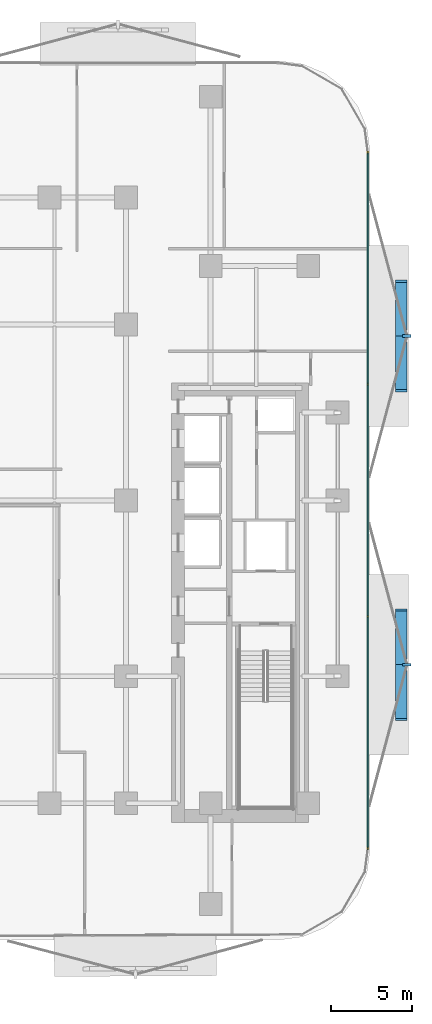
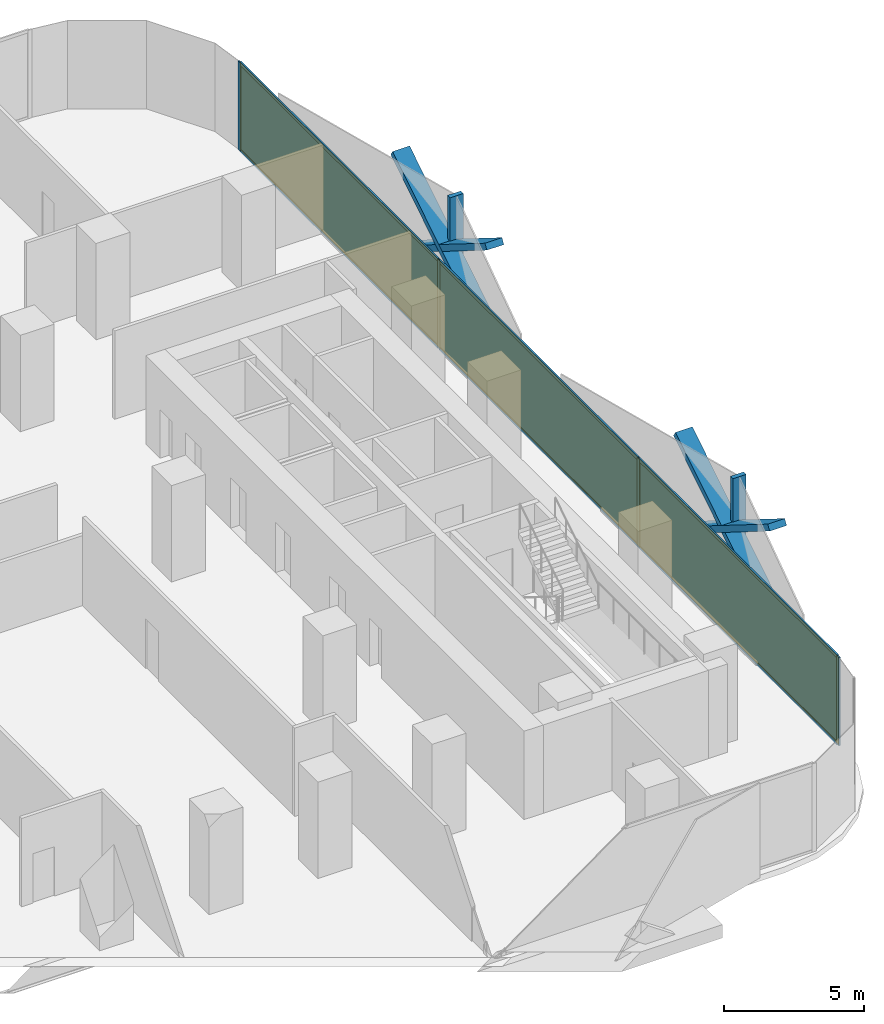
# One storey, part 10 of 16: 16 members, 3 plates, 1 curtain wall.
"""IFC4 building model written with IfcOpenShell, lengths in metres."""

from ifc_helpers import new_model, si_unit, direction, frame, frame_2d, origin, origin_2d, place, context, subcontext, project, spatial, rectangle, extrude, material, layer, layer_set, material_profile, profile_set, type_object, element, aggregate, save


model = new_model("IFC4")

# Units and contexts
model_context = context("Model", 3, precision=1e-05, world=origin(), true_north=direction((0.0, 1.0)))
body_context = subcontext(model_context, "Body", "Model", "MODEL_VIEW")
ifc_project = project(units=[si_unit("LENGTHUNIT", "METRE"), si_unit("AREAUNIT", "SQUARE_METRE"), si_unit("VOLUMEUNIT", "CUBIC_METRE"), si_unit("PLANEANGLEUNIT", "RADIAN"), si_unit("MASSUNIT", "GRAM", prefix="KILO")], contexts=[model_context])

# Member
ifc_material_1 = material(Name="Anodised Bronze Aluminium 6063-T6", Category="aluminium")
ifc_material_profile_1 = material_profile(ifc_material_1, rectangle(XDim=0.260009765625, YDim=0.699951171875, at=origin_2d()))
ifc_profile_set_1 = profile_set([ifc_material_profile_1], Name="Anodised Bronze Aluminium 6063-T6")
member_type_1 = type_object("IfcMemberType", Name="Bronze Diamond Solar-Screen Lattice Rib BDL-700", PredefinedType="MULLION", material=ifc_profile_set_1)
site_placement = place(None, origin())
building_placement = place(site_placement, origin())
storey_placement = place(building_placement, frame((0.0, 0.0, 80.60009765625)))
member_1_placement = place(storey_placement, frame((26.10009765625, 13.46044921875, -0.130126953125), z_axis=(0.0, -0.848362902952, 0.529415134744), x_axis=(0.0, -0.529415134744, -0.848362902952)))
member_1 = element("IfcMember", 1, at=member_1_placement, type_object=member_type_1, Name="L19 Bronze Diamond Solar Screen Lattice Rib 111A", PredefinedType="MULLION", context=body_context, shape_type="SweptSolid", body=[
    extrude(rectangle(XDim=0.260009765625, YDim=0.699951171875, at=origin_2d()), origin(), (0.0, 0.0, 1.0), 7.93310546875),
])

member_2_placement = place(storey_placement, frame((26.10009765625, 6.730224609375, -0.130126953125), z_axis=(0.0, 0.848362902952, 0.529415134744), x_axis=(0.0, 0.529415134744, -0.848362902952)))
member_2 = element("IfcMember", 2, at=member_2_placement, type_object=member_type_1, Name="L19 Bronze Diamond Solar Screen Lattice Rib 111B", PredefinedType="MULLION", context=body_context, shape_type="SweptSolid", body=[
    extrude(rectangle(XDim=0.260009765625, YDim=0.699951171875, at=origin_2d()), origin(), (0.0, 0.0, 1.0), 7.93310546875),
])

member_3_placement = place(storey_placement, frame((26.10009765625, -6.730224609375, -0.130126953125), z_axis=(0.0, -0.848362902952, 0.529415134744), x_axis=(0.0, -0.529415134744, -0.848362902952)))
member_3 = element("IfcMember", 3, at=member_3_placement, type_object=member_type_1, Name="L19 Bronze Diamond Solar Screen Lattice Rib 112A", PredefinedType="MULLION", context=body_context, shape_type="SweptSolid", body=[
    extrude(rectangle(XDim=0.260009765625, YDim=0.699951171875, at=origin_2d()), origin(), (0.0, 0.0, 1.0), 7.93310546875),
])

member_4_placement = place(storey_placement, frame((26.10009765625, -13.46044921875, -0.130126953125), z_axis=(0.0, 0.848362902952, 0.529415134744), x_axis=(0.0, 0.529415134744, -0.848362902952)))
member_4 = element("IfcMember", 4, at=member_4_placement, type_object=member_type_1, Name="L19 Bronze Diamond Solar Screen Lattice Rib 112B", PredefinedType="MULLION", context=body_context, shape_type="SweptSolid", body=[
    extrude(rectangle(XDim=0.260009765625, YDim=0.699951171875, at=origin_2d()), origin(), (0.0, 0.0, 1.0), 7.93310546875),
])

ifc_material_2 = material(Name="Anodised Bronze Aluminium 6063-T6", Category="aluminium")
ifc_material_profile_2 = material_profile(ifc_material_2, rectangle(XDim=0.179931640625, YDim=0.5400390625, at=origin_2d()))
ifc_profile_set_2 = profile_set([ifc_material_profile_2], Name="Anodised Bronze Aluminium 6063-T6")
member_type_2 = type_object("IfcMemberType", Name="Bronze Solar-Screen Vertical Fold Fin BSF-540", PredefinedType="MULLION", material=ifc_profile_set_2)
member_5_placement = place(storey_placement, frame((26.43994140625, 10.095458984375, -0.130126953125), z_axis=(0.0, 0.0, 1.0), x_axis=(0.0, -1.0, 0.0)))
member_5 = element("IfcMember", 5, at=member_5_placement, type_object=member_type_2, Name="L19 Bronze Solar Screen Vertical Fin 111", PredefinedType="MULLION", context=body_context, shape_type="SweptSolid", body=[
    extrude(rectangle(XDim=0.179931640625, YDim=0.5400390625, at=origin_2d()), origin(), (0.0, 0.0, 1.0), 4.199951171875),
])

member_6_placement = place(storey_placement, frame((26.43994140625, -10.095458984375, -0.130126953125), z_axis=(0.0, 0.0, 1.0), x_axis=(0.0, -1.0, 0.0)))
member_6 = element("IfcMember", 6, at=member_6_placement, type_object=member_type_2, Name="L19 Bronze Solar Screen Vertical Fin 112", PredefinedType="MULLION", context=body_context, shape_type="SweptSolid", body=[
    extrude(rectangle(XDim=0.179931640625, YDim=0.5400390625, at=origin_2d()), origin(), (0.0, 0.0, 1.0), 4.199951171875),
])

ifc_material_3 = material(Name="Anodised Bronze Aluminium 6063-T6", Category="aluminium")
ifc_material_profile_3 = material_profile(ifc_material_3, rectangle(XDim=0.06494140625, YDim=0.179931640625, at=origin_2d()))
ifc_profile_set_3 = profile_set([ifc_material_profile_3], Name="Anodised Bronze Aluminium 6063-T6")
member_type_3 = type_object("IfcMemberType", Name="CW-Z1 Mullion 65x180", PredefinedType="MULLION", material=ifc_profile_set_3)
member_7_placement = place(storey_placement, frame((24.06005859375, 21.3583984375, 0.0), z_axis=(0.0, 0.0, 1.0), x_axis=(1.0, 0.0, 0.0)))
member_7 = element("IfcMember", 7, at=member_7_placement, type_object=member_type_3, Name="CW-Z1 mullion 1", PredefinedType="MULLION", context=body_context, shape_type="SweptSolid", body=[
    extrude(rectangle(XDim=0.06494140625, YDim=0.179931640625, at=origin_2d()), origin(), (0.0, 0.0, 1.0), 3.849853515625),
])

member_8_placement = place(storey_placement, frame((24.06005859375, 7.13037109375, 0.0), z_axis=(0.0, 0.0, 1.0), x_axis=(1.0, 0.0, 0.0)))
member_8 = element("IfcMember", 8, at=member_8_placement, type_object=member_type_3, Name="CW-Z1 mullion 2", PredefinedType="MULLION", context=body_context, shape_type="SweptSolid", body=[
    extrude(rectangle(XDim=0.06494140625, YDim=0.179931640625, at=origin_2d()), origin(), (0.0, 0.0, 1.0), 3.849853515625),
])

member_9_placement = place(storey_placement, frame((24.06005859375, -7.13037109375, 0.0), z_axis=(0.0, 0.0, 1.0), x_axis=(1.0, 0.0, 0.0)))
member_9 = element("IfcMember", 9, at=member_9_placement, type_object=member_type_3, Name="CW-Z1 mullion 3", PredefinedType="MULLION", context=body_context, shape_type="SweptSolid", body=[
    extrude(rectangle(XDim=0.06494140625, YDim=0.179931640625, at=origin_2d()), origin(), (0.0, 0.0, 1.0), 3.849853515625),
])

member_10_placement = place(storey_placement, frame((24.06005859375, -21.3583984375, 0.0), z_axis=(0.0, 0.0, 1.0), x_axis=(1.0, 0.0, 0.0)))
member_10 = element("IfcMember", 10, at=member_10_placement, type_object=member_type_3, Name="CW-Z1 mullion 4", PredefinedType="MULLION", context=body_context, shape_type="SweptSolid", body=[
    extrude(rectangle(XDim=0.06494140625, YDim=0.179931640625, at=origin_2d()), origin(), (0.0, 0.0, 1.0), 3.849853515625),
])

ifc_material_4 = material(Name="Anodised Bronze Aluminium 6063-T6", Category="aluminium")
ifc_material_profile_4 = material_profile(ifc_material_4, rectangle(XDim=0.06494140625, YDim=0.139892578125, at=origin_2d()))
ifc_profile_set_4 = profile_set([ifc_material_profile_4], Name="Anodised Bronze Aluminium 6063-T6")
member_type_4 = type_object("IfcMemberType", Name="CW-Z1 Transom 65x140", PredefinedType="USERDEFINED", material=ifc_profile_set_4)
member_11_placement = place(storey_placement, frame((24.06005859375, 21.32568359375, 0.032470703125), z_axis=(0.0, -1.0, 0.0), x_axis=(1.0, 0.0, 0.0)))
member_11 = element("IfcMember", 11, at=member_11_placement, type_object=member_type_4, Name="CW-Z1 transom 1.1", ObjectType="TRANSOM", PredefinedType="USERDEFINED", context=body_context, shape_type="SweptSolid", body=[
    extrude(rectangle(XDim=0.06494140625, YDim=0.139892578125, at=origin_2d()), origin(), (0.0, 0.0, 1.0), 14.162841796875),
])

member_12_placement = place(storey_placement, frame((24.06005859375, 21.32568359375, 3.8173828125), z_axis=(0.0, -1.0, 0.0), x_axis=(1.0, 0.0, 0.0)))
member_12 = element("IfcMember", 12, at=member_12_placement, type_object=member_type_4, Name="CW-Z1 transom 1.2", ObjectType="TRANSOM", PredefinedType="USERDEFINED", context=body_context, shape_type="SweptSolid", body=[
    extrude(rectangle(XDim=0.06494140625, YDim=0.139892578125, at=origin_2d()), origin(), (0.0, 0.0, 1.0), 14.162841796875),
])

member_13_placement = place(storey_placement, frame((24.06005859375, 7.09765625, 0.032470703125), z_axis=(0.0, -1.0, 0.0), x_axis=(1.0, 0.0, 0.0)))
member_13 = element("IfcMember", 13, at=member_13_placement, type_object=member_type_4, Name="CW-Z1 transom 2.1", ObjectType="TRANSOM", PredefinedType="USERDEFINED", context=body_context, shape_type="SweptSolid", body=[
    extrude(rectangle(XDim=0.06494140625, YDim=0.139892578125, at=origin_2d()), origin(), (0.0, 0.0, 1.0), 14.1953125),
])

member_14_placement = place(storey_placement, frame((24.06005859375, 7.09765625, 3.8173828125), z_axis=(0.0, -1.0, 0.0), x_axis=(1.0, 0.0, 0.0)))
member_14 = element("IfcMember", 14, at=member_14_placement, type_object=member_type_4, Name="CW-Z1 transom 2.2", ObjectType="TRANSOM", PredefinedType="USERDEFINED", context=body_context, shape_type="SweptSolid", body=[
    extrude(rectangle(XDim=0.06494140625, YDim=0.139892578125, at=origin_2d()), origin(), (0.0, 0.0, 1.0), 14.1953125),
])

member_15_placement = place(storey_placement, frame((24.06005859375, -7.162841796875, 0.032470703125), z_axis=(0.0, -1.0, 0.0), x_axis=(1.0, 0.0, 0.0)))
member_15 = element("IfcMember", 15, at=member_15_placement, type_object=member_type_4, Name="CW-Z1 transom 3.1", ObjectType="TRANSOM", PredefinedType="USERDEFINED", context=body_context, shape_type="SweptSolid", body=[
    extrude(rectangle(XDim=0.06494140625, YDim=0.139892578125, at=origin_2d()), origin(), (0.0, 0.0, 1.0), 14.162841796875),
])

member_16_placement = place(storey_placement, frame((24.06005859375, -7.162841796875, 3.8173828125), z_axis=(0.0, -1.0, 0.0), x_axis=(1.0, 0.0, 0.0)))
member_16 = element("IfcMember", 16, at=member_16_placement, type_object=member_type_4, Name="CW-Z1 transom 3.2", ObjectType="TRANSOM", PredefinedType="USERDEFINED", context=body_context, shape_type="SweptSolid", body=[
    extrude(rectangle(XDim=0.06494140625, YDim=0.139892578125, at=origin_2d()), origin(), (0.0, 0.0, 1.0), 14.162841796875),
])

# Plate
ifc_material_5 = material(Name="Low-E Solar Control Laminated Glass", Category="glass")
ifc_layer_1 = layer(ifc_material_5, 0.028076171875, Name="Low-E Solar Control Laminated Glass")
ifc_layer_set_1 = layer_set([ifc_layer_1], Name="Low-E Solar Control Laminated Glass")
plate_type = type_object("IfcPlateType", Name="CW-Z1 Low-E Double Glazed Panel 28mm", PredefinedType="CURTAIN_PANEL", material=ifc_layer_set_1)
plate_1_placement = place(storey_placement, frame((24.06005859375, 14.244384765625, 0.06494140625), z_axis=(0.0, 0.0, 1.0), x_axis=(0.0, -1.0, 0.0)))
plate_1 = element("IfcPlate", 17, at=plate_1_placement, type_object=plate_type, Name="CW-Z1 panel 1.1", PredefinedType="CURTAIN_PANEL", context=body_context, shape_type="SweptSolid", body=[
    extrude(rectangle(XDim=14.1630859375, YDim=0.028076171875, at=origin_2d()), origin(), (0.0, 0.0, 1.0), 3.719970703125),
])

plate_2_placement = place(storey_placement, frame((24.06005859375, 0.0, 0.06494140625), z_axis=(0.0, 0.0, 1.0), x_axis=(0.0, -1.0, 0.0)))
plate_2 = element("IfcPlate", 18, at=plate_2_placement, type_object=plate_type, Name="CW-Z1 panel 2.1", PredefinedType="CURTAIN_PANEL", context=body_context, shape_type="SweptSolid", body=[
    extrude(rectangle(XDim=14.195556640625, YDim=0.028076171875, at=origin_2d()), origin(), (0.0, 0.0, 1.0), 3.719970703125),
])

plate_3_placement = place(storey_placement, frame((24.06005859375, -14.244384765625, 0.06494140625), z_axis=(0.0, 0.0, 1.0), x_axis=(0.0, -1.0, 0.0)))
plate_3 = element("IfcPlate", 19, at=plate_3_placement, type_object=plate_type, Name="CW-Z1 panel 3.1", PredefinedType="CURTAIN_PANEL", context=body_context, shape_type="SweptSolid", body=[
    extrude(rectangle(XDim=14.1630859375, YDim=0.028076171875, at=origin_2d()), origin(), (0.0, 0.0, 1.0), 3.719970703125),
])

# Site, building, storey
site = spatial("IfcSite", under=ifc_project, at=site_placement, CompositionType="ELEMENT")
building = spatial("IfcBuilding", under=site, at=building_placement, Name="Khairoan Windgate Tower", CompositionType="ELEMENT")
storey = spatial("IfcBuildingStorey", under=building, at=storey_placement, Name="L19", CompositionType="ELEMENT", Elevation=80.60009765625)

# Curtain wall
ifc_material_6 = material(Name="Anodised Bronze Aluminium 6063-T6", Category="aluminium")
ifc_layer_2 = layer(ifc_material_6, 0.179931640625, Name="Anodised Bronze Aluminium 6063-T6")
ifc_layer_set_2 = layer_set([ifc_layer_2], Name="Anodised Bronze Aluminium 6063-T6")
curtain_wall_type = type_object("IfcCurtainWallType", Name="Low-Rise Office Unitised Curtain Wall CW-Z1", PredefinedType="NOTDEFINED", material=ifc_layer_set_2)
curtain_wall_placement = place(storey_placement, frame((24.06005859375, 21.390869140625, 0.0), z_axis=(0.0, 0.0, 1.0), x_axis=(0.0, -1.0, 0.0)))
curtain_wall = element("IfcCurtainWall", 20, at=curtain_wall_placement, inside=storey, type_object=curtain_wall_type, Name="L19 Unitised Curtain Wall 16", PredefinedType="NOTDEFINED", context=body_context, shape_type="SweptSolid", body=[
    extrude(rectangle(XDim=42.78173828125, YDim=0.010009765625, at=frame_2d((21.390869140625, 0.0))), origin(), (0.0, 0.0, 1.0), 3.849853515625),
])

aggregate(curtain_wall, [member_7, member_8, member_9, member_10, member_11, member_12, plate_1, member_13, member_14, plate_2, member_15, member_16, plate_3, member_1, member_2, member_5, member_3, member_4, member_6])

save(model, "model.ifc")
